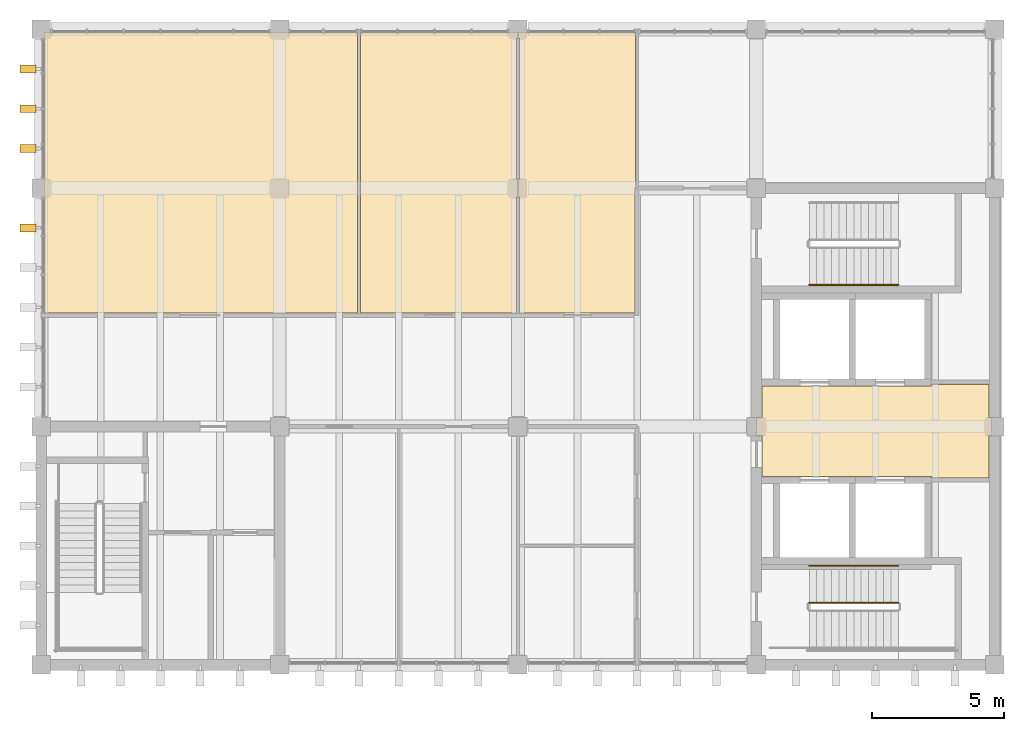
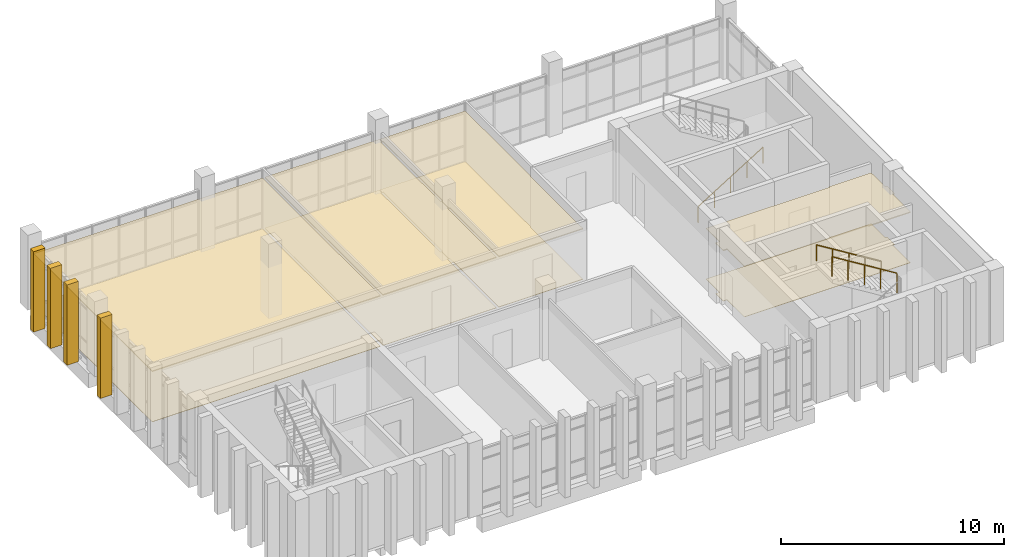
# One storey, part 13 of 14: 8 coverings, 4 shading devices, 3 railings.
"""IFC4 building model written with IfcOpenShell, lengths in metres."""

from ifc_helpers import new_model, si_unit, direction, frame, origin, origin_2d, place, context, subcontext, project, spatial, polyline, circle, outline, extrude, source, transform, mapped, material, layer, layer_set, type_object, element, save


model = new_model("IFC4")

# Units and contexts
model_context = context("Model", 3, precision=1e-05, world=origin(), true_north=direction((0.0, 1.0)))
body_context = subcontext(model_context, "Body", "Model", "MODEL_VIEW")
ifc_project = project(units=[si_unit("LENGTHUNIT", "METRE"), si_unit("AREAUNIT", "SQUARE_METRE"), si_unit("VOLUMEUNIT", "CUBIC_METRE"), si_unit("PLANEANGLEUNIT", "RADIAN"), si_unit("MASSUNIT", "GRAM", prefix="KILO")], contexts=[model_context])

# Site, building, storey
site_placement = place(None, origin())
site = spatial("IfcSite", under=ifc_project, at=site_placement, CompositionType="ELEMENT")
building_placement = place(site_placement, origin())
building = spatial("IfcBuilding", under=site, at=building_placement, Name="Merrow Basin Faculty of Sciences", CompositionType="ELEMENT")
storey_placement = place(building_placement, frame((0.0, 0.0, 36.0)))
storey = spatial("IfcBuildingStorey", under=building, at=storey_placement, Name="L08", CompositionType="ELEMENT", Elevation=36.0)

# Coverings
ifc_material_1 = material(Name="Carpet tile floor")
ifc_layer_1 = layer(ifc_material_1, 0.02001953125)
ifc_layer_set_1 = layer_set([ifc_layer_1], Name="Carpet tile floor")
covering_type_1 = type_object("IfcCoveringType", Name="Carpet tile floor", PredefinedType="FLOORING", material=ifc_layer_set_1)
covering_1_placement = place(storey_placement, origin())
element("IfcCovering", 1, at=covering_1_placement, inside=storey, type_object=covering_type_1, Name="Floor finish L08-T-014", PredefinedType="FLOORING", context=body_context, shape_type="SweptSolid", body=[
    extrude(outline(polyline([(18.110107421875, 165.889892578125), (29.93994140625, 165.889892578125), (29.93994140625, 155.284912109375), (18.110107421875, 155.284912109375), (18.110107421875, 165.889892578125)])), origin(), (0.0, 0.0, 1.0), 0.02001953125),
])
covering_2_placement = place(storey_placement, origin())
element("IfcCovering", 2, at=covering_2_placement, inside=storey, type_object=covering_type_1, Name="Floor finish L08-T-015", PredefinedType="FLOORING", context=body_context, shape_type="SweptSolid", body=[
    extrude(outline(polyline([(30.06005859375, 155.284912109375), (30.06005859375, 165.889892578125), (35.989990234375, 165.889892578125), (35.989990234375, 165.659912109375), (35.93994140625, 165.659912109375), (35.93994140625, 160.340087890625), (35.989990234375, 160.340087890625), (35.989990234375, 159.659912109375), (35.93994140625, 159.659912109375), (35.93994140625, 155.284912109375), (30.06005859375, 155.284912109375)])), origin(), (0.0, 0.0, 1.0), 0.02001953125),
])
covering_3_placement = place(storey_placement, origin())
element("IfcCovering", 3, at=covering_3_placement, inside=storey, type_object=covering_type_1, Name="Floor finish L08-T-016", PredefinedType="FLOORING", context=body_context, shape_type="SweptSolid", body=[
    extrude(outline(polyline([(36.06005859375, 155.284912109375), (36.06005859375, 159.659912109375), (36.010009765625, 159.659912109375), (36.010009765625, 160.340087890625), (36.06005859375, 160.340087890625), (36.06005859375, 165.659912109375), (36.010009765625, 165.659912109375), (36.010009765625, 165.889892578125), (40.43994140625, 165.889892578125), (40.43994140625, 160.010009765625), (40.4150390625, 160.010009765625), (40.4150390625, 155.284912109375), (36.06005859375, 155.284912109375)])), origin(), (0.0, 0.0, 1.0), 0.02001953125),
])
ifc_material_2 = material(Name="Polished terrazzo floor")
ifc_layer_2 = layer(ifc_material_2, 0.02001953125)
ifc_layer_set_2 = layer_set([ifc_layer_2], Name="Polished terrazzo floor")
covering_type_2 = type_object("IfcCoveringType", Name="Polished terrazzo floor", PredefinedType="FLOORING", material=ifc_layer_set_2)
covering_4_placement = place(storey_placement, origin())
element("IfcCovering", 4, at=covering_4_placement, inside=storey, type_object=covering_type_2, Name="Floor finish L08-T-007", PredefinedType="FLOORING", context=body_context, shape_type="SweptSolid", body=[
    extrude(outline(polyline([(45.010009765625, 151.340087890625), (45.2099609375, 151.340087890625), (45.2099609375, 152.5400390625), (51.610107421875, 152.5400390625), (51.610107421875, 152.590087890625), (53.7900390625, 152.590087890625), (53.7900390625, 151.340087890625), (53.889892578125, 151.340087890625), (53.889892578125, 150.659912109375), (53.7900390625, 150.659912109375), (53.7900390625, 149.06005859375), (51.610107421875, 149.06005859375), (51.610107421875, 149.110107421875), (45.2099609375, 149.110107421875), (45.2099609375, 150.659912109375), (45.010009765625, 150.659912109375), (45.010009765625, 151.340087890625)])), origin(), (0.0, 0.0, 1.0), 0.02001953125),
])

# Railings
ifc_material_3 = material(Name="Steel ASTM A36", Category="steel")
railing_type_1 = type_object("IfcRailingType", Name="Steel guard 1100", PredefinedType="GUARDRAIL", material=ifc_material_3)
railing_1_placement = place(storey_placement, frame((50.360107421875, 144.35009765625, 2.423095703125)))
element("IfcRailing", 5, at=railing_1_placement, inside=storey, type_object=railing_type_1, Name="L08 ST-V5-N stair guard 4", PredefinedType="GUARDRAIL", context=body_context, shape_type="SweptSolid", body=[
    extrude(circle(Radius=0.02392578125, at=origin_2d()), frame((0.0, 0.0, 1.076171875), z_axis=(-0.850623216509, 0.0, 0.525775754039), x_axis=(0.0, -1.0, 0.0)), (0.0, 0.0, 1.0), 3.9501953125),
    extrude(circle(Radius=0.02099609375, at=origin_2d()), origin(), (0.0, 0.0, 1.0), 1.052001953125),
    extrude(circle(Radius=0.02099609375, at=origin_2d()), frame((-0.840087890625, 0.0, 0.519287109375)), (0.0, 0.0, 1.0), 1.052001953125),
    extrude(circle(Radius=0.02099609375, at=origin_2d()), frame((-1.68017578125, 0.0, 1.03857421875)), (0.0, 0.0, 1.0), 1.052001953125),
    extrude(circle(Radius=0.02099609375, at=origin_2d()), frame((-2.52001953125, 0.0, 1.5576171875)), (0.0, 0.0, 1.0), 1.052001953125),
    extrude(circle(Radius=0.02099609375, at=origin_2d()), frame((-3.360107421875, 0.0, 2.076904296875)), (0.0, 0.0, 1.0), 1.052001953125),
])
ifc_material_4 = material(Name="Steel ASTM A36", Category="steel")
railing_type_2 = type_object("IfcRailingType", Name="Steel handrail 900", PredefinedType="HANDRAIL", material=ifc_material_4)
railing_2_placement = place(storey_placement, frame((47.0, 156.35009765625, 0.173095703125)))
element("IfcRailing", 6, at=railing_2_placement, inside=storey, type_object=railing_type_2, Name="L08 ST-V5-S stair handrail 1", PredefinedType="HANDRAIL", context=body_context, shape_type="SweptSolid", body=[
    extrude(circle(Radius=0.02392578125, at=origin_2d()), frame((0.0, 0.0, 0.8759765625), z_axis=(0.850623216509, 0.0, 0.525775754039), x_axis=(0.0, 1.0, 0.0)), (0.0, 0.0, 1.0), 3.9501953125),
    extrude(circle(Radius=0.02099609375, at=origin_2d()), origin(), (0.0, 0.0, 1.0), 0.851806640625),
    extrude(circle(Radius=0.02099609375, at=origin_2d()), frame((0.840087890625, 0.0, 0.519287109375)), (0.0, 0.0, 1.0), 0.851806640625),
    extrude(circle(Radius=0.02099609375, at=origin_2d()), frame((1.68017578125, 0.0, 1.03857421875)), (0.0, 0.0, 1.0), 0.851806640625),
    extrude(circle(Radius=0.02099609375, at=origin_2d()), frame((2.52001953125, 0.0, 1.5576171875)), (0.0, 0.0, 1.0), 0.851806640625),
    extrude(circle(Radius=0.02099609375, at=origin_2d()), frame((3.360107421875, 0.0, 2.076904296875)), (0.0, 0.0, 1.0), 0.851806640625),
])
railing_3_placement = place(storey_placement, frame((50.360107421875, 145.75, 2.423095703125)))
element("IfcRailing", 7, at=railing_3_placement, inside=storey, type_object=railing_type_2, Name="L08 ST-V5-N stair handrail 2", PredefinedType="HANDRAIL", context=body_context, shape_type="SweptSolid", body=[
    extrude(circle(Radius=0.02392578125, at=origin_2d()), frame((0.0, 0.0, 0.8759765625), z_axis=(-0.850623216509, 0.0, 0.525775754039), x_axis=(0.0, -1.0, 0.0)), (0.0, 0.0, 1.0), 3.9501953125),
    extrude(circle(Radius=0.02099609375, at=origin_2d()), origin(), (0.0, 0.0, 1.0), 0.851806640625),
    extrude(circle(Radius=0.02099609375, at=origin_2d()), frame((-0.840087890625, 0.0, 0.519287109375)), (0.0, 0.0, 1.0), 0.851806640625),
    extrude(circle(Radius=0.02099609375, at=origin_2d()), frame((-1.68017578125, 0.0, 1.03857421875)), (0.0, 0.0, 1.0), 0.851806640625),
    extrude(circle(Radius=0.02099609375, at=origin_2d()), frame((-2.52001953125, 0.0, 1.5576171875)), (0.0, 0.0, 1.0), 0.851806640625),
    extrude(circle(Radius=0.02099609375, at=origin_2d()), frame((-3.360107421875, 0.0, 2.076904296875)), (0.0, 0.0, 1.0), 0.851806640625),
])

# Coverings
ifc_material_5 = material(Name="Mineral fibre ceiling tile")
ifc_layer_3 = layer(ifc_material_5, 0.050048828125)
ifc_layer_set_3 = layer_set([ifc_layer_3], Name="Suspended acoustic ceiling tile")
covering_type_3 = type_object("IfcCoveringType", Name="Suspended acoustic ceiling tile", PredefinedType="CEILING", material=ifc_layer_set_3)
covering_5_placement = place(storey_placement, frame((0.0, 0.0, 2.75)))
element("IfcCovering", 8, at=covering_5_placement, inside=storey, type_object=covering_type_3, Name="Ceiling L08-T-007", PredefinedType="CEILING", context=body_context, shape_type="SweptSolid", body=[
    extrude(outline(polyline([(45.010009765625, 151.340087890625), (45.2099609375, 151.340087890625), (45.2099609375, 152.5400390625), (51.610107421875, 152.5400390625), (51.610107421875, 152.590087890625), (53.7900390625, 152.590087890625), (53.7900390625, 151.340087890625), (53.889892578125, 151.340087890625), (53.889892578125, 150.659912109375), (53.7900390625, 150.659912109375), (53.7900390625, 149.06005859375), (51.610107421875, 149.06005859375), (51.610107421875, 149.110107421875), (45.2099609375, 149.110107421875), (45.2099609375, 150.659912109375), (45.010009765625, 150.659912109375), (45.010009765625, 151.340087890625)])), origin(), (0.0, 0.0, 1.0), 0.050048828125),
])
covering_6_placement = place(storey_placement, frame((0.0, 0.0, 2.75)))
element("IfcCovering", 9, at=covering_6_placement, inside=storey, type_object=covering_type_3, Name="Ceiling L08-T-014", PredefinedType="CEILING", context=body_context, shape_type="SweptSolid", body=[
    extrude(outline(polyline([(18.110107421875, 165.889892578125), (29.93994140625, 165.889892578125), (29.93994140625, 155.284912109375), (18.110107421875, 155.284912109375), (18.110107421875, 165.889892578125)])), origin(), (0.0, 0.0, 1.0), 0.050048828125),
])
covering_7_placement = place(storey_placement, frame((0.0, 0.0, 2.75)))
element("IfcCovering", 10, at=covering_7_placement, inside=storey, type_object=covering_type_3, Name="Ceiling L08-T-015", PredefinedType="CEILING", context=body_context, shape_type="SweptSolid", body=[
    extrude(outline(polyline([(30.06005859375, 155.284912109375), (30.06005859375, 165.889892578125), (35.989990234375, 165.889892578125), (35.989990234375, 165.659912109375), (35.93994140625, 165.659912109375), (35.93994140625, 160.340087890625), (35.989990234375, 160.340087890625), (35.989990234375, 159.659912109375), (35.93994140625, 159.659912109375), (35.93994140625, 155.284912109375), (30.06005859375, 155.284912109375)])), origin(), (0.0, 0.0, 1.0), 0.050048828125),
])
covering_8_placement = place(storey_placement, frame((0.0, 0.0, 2.75)))
element("IfcCovering", 11, at=covering_8_placement, inside=storey, type_object=covering_type_3, Name="Ceiling L08-T-016", PredefinedType="CEILING", context=body_context, shape_type="SweptSolid", body=[
    extrude(outline(polyline([(36.06005859375, 155.284912109375), (36.06005859375, 159.659912109375), (36.010009765625, 159.659912109375), (36.010009765625, 160.340087890625), (36.06005859375, 160.340087890625), (36.06005859375, 165.659912109375), (36.010009765625, 165.659912109375), (36.010009765625, 165.889892578125), (40.43994140625, 165.889892578125), (40.43994140625, 160.010009765625), (40.4150390625, 160.010009765625), (40.4150390625, 155.284912109375), (36.06005859375, 155.284912109375)])), origin(), (0.0, 0.0, 1.0), 0.050048828125),
])

# Shading devices
ifc_material_6 = material(Name="White precast concrete C50/60", Category="concrete")
shading_device_type = type_object("IfcShadingDeviceType", Name="White precast fin 300 x 600", PredefinedType="USERDEFINED", material=ifc_material_6)
shared_shape = source(origin(), body_context, "Body", "SweptSolid", [
    extrude(outline(polyline([(0.0, 0.0), (0.300048828125, 0.0), (0.300048828125, 4.39990234375), (0.0, 4.39990234375), (0.0, 0.0)])), origin(), (0.0, 0.0, 1.0), 0.60009765625),
])
for number, where, z_axis, x_axis, name in (
    (12, (17.800048828125, 158.64990234375, -0.25), (-1.0, 0.0, 0.0), (0.0, -1.0, 0.0), "Brise-soleil fin WL08"),
    (13, (17.800048828125, 161.64990234375, -0.25), (-1.0, 0.0, 0.0), (0.0, -1.0, 0.0), "Brise-soleil fin WL08"),
    (14, (17.800048828125, 163.14990234375, -0.25), (-1.0, 0.0, 0.0), (0.0, -1.0, 0.0), "Brise-soleil fin WL08"),
    (15, (17.800048828125, 164.64990234375, -0.25), (-1.0, 0.0, 0.0), (0.0, -1.0, 0.0), "Brise-soleil fin WL08"),
):
    element("IfcShadingDevice", number, at=place(storey_placement, frame(where, z_axis=z_axis, x_axis=x_axis)), inside=storey, type_object=shading_device_type, Name=name, ObjectType="FIN", PredefinedType="USERDEFINED", context=body_context, shape_type="MappedRepresentation", body=[
        mapped(shared_shape, transform((0.0, 0.0, 0.0), scale=1.0)),
    ])

save(model, "model.ifc")
